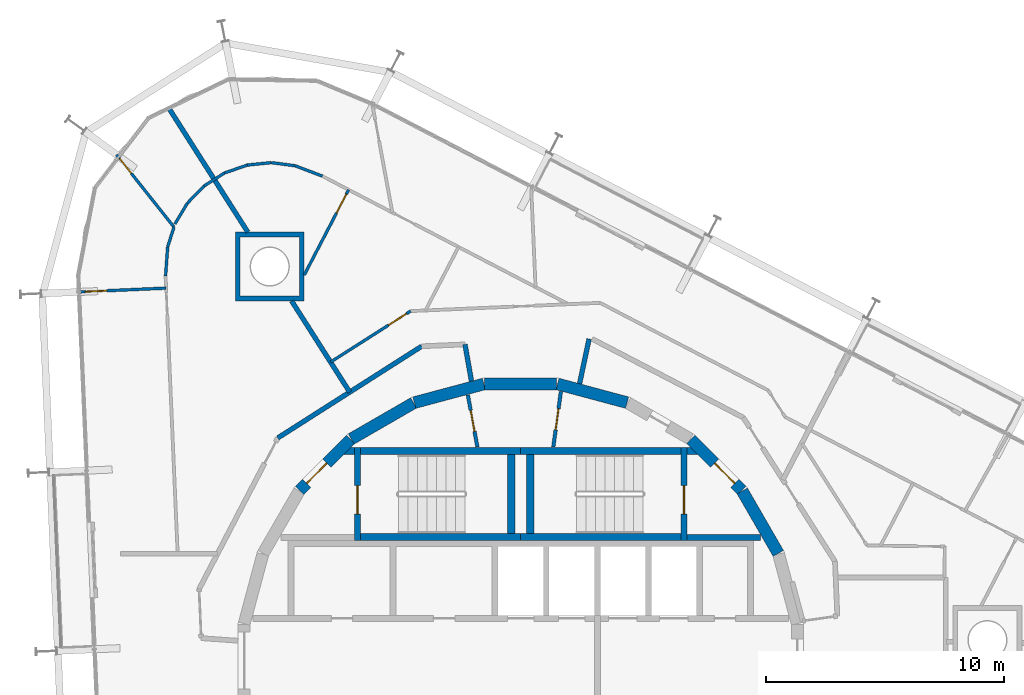
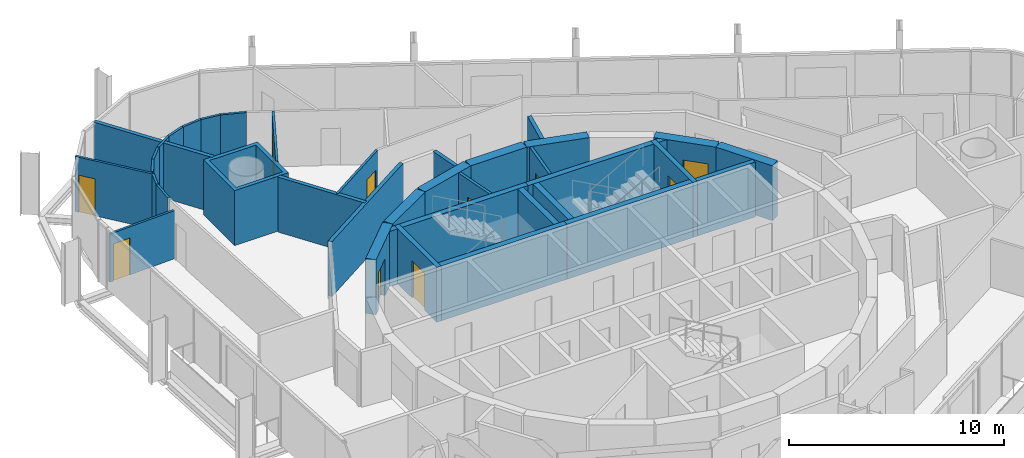
# One storey, part 15 of 17: 39 walls, 10 doors, 10 openings.
"""IFC4 building model written with IfcOpenShell, lengths in metres."""

from ifc_helpers import new_model, si_unit, direction, frame, frame_2d, origin, place, context, subcontext, project, spatial, polyline, rectangle, outline, extrude, material, layer, layer_set, type_object, element, fill, save


model = new_model("IFC4")

# Units and contexts
model_context = context("Model", 3, precision=1e-05, world=origin(), true_north=direction((0.0, 1.0)))
body_context = subcontext(model_context, "Body", "Model", "MODEL_VIEW")
ifc_project = project(units=[si_unit("LENGTHUNIT", "METRE"), si_unit("AREAUNIT", "SQUARE_METRE"), si_unit("VOLUMEUNIT", "CUBIC_METRE"), si_unit("PLANEANGLEUNIT", "RADIAN"), si_unit("MASSUNIT", "GRAM", prefix="KILO")], contexts=[model_context])

# Site, building, storey
site_placement = place(None, origin())
site = spatial("IfcSite", under=ifc_project, at=site_placement, CompositionType="ELEMENT")
building_placement = place(site_placement, origin())
building = spatial("IfcBuilding", under=site, at=building_placement, Name="Spindle Arch Residences", CompositionType="ELEMENT")
storey_placement = place(building_placement, frame((0.0, 0.0, 244.199951171875)))
storey = spatial("IfcBuildingStorey", under=building, at=storey_placement, Name="L62", CompositionType="ELEMENT", Elevation=244.199951171875)

# Wall
ifc_material_1 = material(Name="Concrete C50/60", Category="concrete")
ifc_layer_1 = layer(ifc_material_1, 0.5)
ifc_layer_set_1 = layer_set([ifc_layer_1], Name="Core outline wall 500")
wall_type_1 = type_object("IfcWallType", Name="Core outline wall 500", PredefinedType="SHEAR", material=ifc_layer_set_1)
wall_1_placement = place(storey_placement, frame((10.84521484375, 4.510498046875, 0.0), z_axis=(0.0, 0.0, 1.0), x_axis=(-0.500087131594, 0.865975092491, 0.0)))
element("IfcWall", 1, at=wall_1_placement, inside=storey, type_object=wall_type_1, Name="Core outline wall 8", PredefinedType="SHEAR", context=body_context, shape_type="SweptSolid", body=[
    extrude(rectangle(XDim=3.03271484375, YDim=0.5, at=frame_2d((1.516357421875, 0.0))), origin(), (0.0, 0.0, 1.0), 3.1201171875),
])

# Wall, opening, door
wall_2_placement = place(storey_placement, frame((9.30810546875, 7.163818359375, 0.0), z_axis=(0.0, 0.0, 1.0), x_axis=(-0.707106781187, 0.707106781187, 0.0)))
wall_2 = element("IfcWall", 2, at=wall_2_placement, inside=storey, type_object=wall_type_1, Name="Core outline wall 9", PredefinedType="SHEAR", context=body_context, shape_type="SweptSolid", body=[
    extrude(rectangle(XDim=3.032470703125, YDim=0.5, at=frame_2d((1.51611328125, 0.0))), origin(), (0.0, 0.0, 1.0), 3.1201171875),
])
opening_1_placement = place(wall_2_placement, frame((0.416259765625, 0.0, 0.0)))
opening_1 = element("IfcOpeningElement", 3, at=opening_1_placement, cuts=wall_2, Name="Opening R6B1-AD01", PredefinedType="OPENING", context=body_context, shape_type="SweptSolid", body=[
    extrude(rectangle(XDim=1.199951171875, YDim=2.10009765625, at=frame_2d((0.60009765625, 1.050048828125))), frame((0.0, 0.260009765625, 0.0), z_axis=(0.0, -1.0, 0.0), x_axis=(1.0, 0.0, 0.0)), (0.0, 0.0, 1.0), 0.52001953125),
])
ifc_material_2 = material(Name="Steel, fire-resisting door", Category="steel")
door_type_1 = type_object("IfcDoorType", Name="Stair airlock door 1200x2100", OperationType="SINGLE_SWING_LEFT", PredefinedType="DOOR", material=ifc_material_2)
door_1_placement = place(opening_1_placement, origin())
door_1 = element("IfcDoor", 4, at=door_1_placement, inside=storey, type_object=door_type_1, Name="Stair airlock door R6B1-AD01", OperationType="SINGLE_SWING_RIGHT", OverallHeight=2.10009765625, OverallWidth=1.199951171875, PredefinedType="DOOR", context=body_context, shape_type="SweptSolid", body=[
    extrude(rectangle(XDim=1.199951171875, YDim=2.10009765625, at=frame_2d((0.60009765625, 1.050048828125))), frame((0.0, 0.02490234375, 0.0), z_axis=(0.0, -1.0, 0.0), x_axis=(1.0, 0.0, 0.0)), (0.0, 0.0, 1.0), 0.050048828125),
])
fill(opening_1, door_1)

# Walls
for number, where, z_axis, x_axis, name in (
    (5, (4.479248046875, 10.858154296875, 0.0), (0.0, 0.0, 1.0), (-0.965948410781, 0.258734743916, 0.0), "Core outline wall 11"),
    (6, (1.516357421875, 11.647216796875, 0.0), (0.0, 0.0, 1.0), (-1.0, 0.0, 0.0), "Core outline wall 12"),
    (7, (-1.5498046875, 11.642822265625, 0.0), (0.0, 0.0, 1.0), (-0.965948410781, -0.258734743916, 0.0), "Core outline wall 13"),
    (8, (-4.510498046875, 10.84521484375, 0.0), (0.0, 0.0, 1.0), (-0.865975092491, -0.500087131594, 0.0), "Core outline wall 14"),
):
    element("IfcWall", number, at=place(storey_placement, frame(where, z_axis=z_axis, x_axis=x_axis)), inside=storey, type_object=wall_type_1, Name=name, PredefinedType="SHEAR", context=body_context, shape_type="SweptSolid", body=[
        extrude(rectangle(XDim=3.03271484375, YDim=0.5, at=frame_2d((1.516357421875, 0.0))), origin(), (0.0, 0.0, 1.0), 3.1201171875),
    ])

# Wall, opening, door
wall_3_placement = place(storey_placement, frame((-7.163818359375, 9.30810546875, 0.0), z_axis=(0.0, 0.0, 1.0), x_axis=(-0.707106781187, -0.707106781187, 0.0)))
wall_3 = element("IfcWall", 9, at=wall_3_placement, inside=storey, type_object=wall_type_1, Name="Core outline wall 15", PredefinedType="SHEAR", context=body_context, shape_type="SweptSolid", body=[
    extrude(rectangle(XDim=3.032470703125, YDim=0.5, at=frame_2d((1.51611328125, 0.0))), origin(), (0.0, 0.0, 1.0), 3.1201171875),
])
opening_2_placement = place(wall_3_placement, frame((1.416259765625, 0.0, 0.0)))
opening_2 = element("IfcOpeningElement", 10, at=opening_2_placement, cuts=wall_3, Name="Opening R6B1-AD02", PredefinedType="OPENING", context=body_context, shape_type="SweptSolid", body=[
    extrude(rectangle(XDim=1.199951171875, YDim=2.10009765625, at=frame_2d((0.60009765625, 1.050048828125))), frame((0.0, 0.260009765625, 0.0), z_axis=(0.0, -1.0, 0.0), x_axis=(1.0, 0.0, 0.0)), (0.0, 0.0, 1.0), 0.52001953125),
])
door_2_placement = place(opening_2_placement, origin())
door_2 = element("IfcDoor", 11, at=door_2_placement, inside=storey, type_object=door_type_1, Name="Stair airlock door R6B1-AD02", OperationType="SINGLE_SWING_RIGHT", OverallHeight=2.10009765625, OverallWidth=1.199951171875, PredefinedType="DOOR", context=body_context, shape_type="SweptSolid", body=[
    extrude(rectangle(XDim=1.199951171875, YDim=2.10009765625, at=frame_2d((0.60009765625, 1.050048828125))), frame((0.0, 0.02490234375, 0.0), z_axis=(0.0, -1.0, 0.0), x_axis=(1.0, 0.0, 0.0)), (0.0, 0.0, 1.0), 0.050048828125),
])
fill(opening_2, door_2)

# Walls
ifc_material_3 = material(Name="Calcium silicate block, plastered")
ifc_layer_2 = layer(ifc_material_3, 0.199951171875)
ifc_layer_set_2 = layer_set([ifc_layer_2], Name="Corridor wall 200")
wall_type_2 = type_object("IfcWallType", Name="Corridor wall 200", PredefinedType="STANDARD", material=ifc_layer_set_2)
wall_4_placement = place(storey_placement, frame((2.877685546875, 13.538330078125, 0.0), z_axis=(0.0, 0.0, 1.0), x_axis=(-0.207893604596, -0.978151444904, 0.0)))
element("IfcWall", 12, at=wall_4_placement, inside=storey, type_object=wall_type_2, Name="Corridor wall R6B1-W006", PredefinedType="STANDARD", context=body_context, shape_type="SweptSolid", body=[
    extrude(rectangle(XDim=1.927001953125, YDim=0.199951171875, at=frame_2d((0.96337890625, 0.0))), origin(), (0.0, 0.0, 1.0), 3.1201171875),
])
wall_5_placement = place(storey_placement, frame((-2.07373046875, 11.76123046875, 0.0), z_axis=(0.0, 0.0, 1.0), x_axis=(-0.173679082312, 0.984802303189, 0.0)))
element("IfcWall", 13, at=wall_5_placement, inside=storey, type_object=wall_type_2, Name="Corridor wall R6B1-W010", PredefinedType="STANDARD", context=body_context, shape_type="SweptSolid", body=[
    extrude(rectangle(XDim=1.572998046875, YDim=0.199951171875, at=frame_2d((0.78662109375, 0.0))), origin(), (0.0, 0.0, 1.0), 3.1201171875),
])
wall_6_placement = place(storey_placement, frame((-4.171630859375, 13.230712890625, 0.0), z_axis=(0.0, 0.0, 1.0), x_axis=(-0.843388394728, -0.537304397561, 0.0)))
element("IfcWall", 14, at=wall_6_placement, inside=storey, type_object=wall_type_2, Name="Corridor wall R6B1-W012", PredefinedType="STANDARD", context=body_context, shape_type="SweptSolid", body=[
    extrude(rectangle(XDim=7.180908203125, YDim=0.199951171875, at=frame_2d((3.59033203125, 0.0))), origin(), (0.0, 0.0, 1.0), 3.1201171875),
])

# Wall, opening, door
ifc_material_4 = material(Name="Plasterboard on steel studs", Category="steel")
ifc_layer_3 = layer(ifc_material_4, 0.1201171875)
ifc_layer_set_3 = layer_set([ifc_layer_3], Name="Flat partition 120")
wall_type_3 = type_object("IfcWallType", Name="Flat partition 120", PredefinedType="PARTITIONING", material=ifc_layer_set_3)
wall_7_placement = place(storey_placement, frame((-4.638671875, 14.711669921875, 0.0), z_axis=(0.0, 0.0, 1.0), x_axis=(-0.843376843237, -0.537322529113, 0.0)))
wall_7 = element("IfcWall", 15, at=wall_7_placement, inside=storey, type_object=wall_type_3, Name="Flat partition R6B1-W053", PredefinedType="PARTITIONING", context=body_context, shape_type="SweptSolid", body=[
    extrude(rectangle(XDim=3.992431640625, YDim=0.1201171875, at=frame_2d((1.99609375, 0.0))), origin(), (0.0, 0.0, 1.0), 3.1201171875),
])
opening_3_placement = place(wall_7_placement, frame((0.199951171875, 0.0, 0.0)))
opening_3 = element("IfcOpeningElement", 16, at=opening_3_placement, cuts=wall_7, Name="Opening R6B1-ID07", PredefinedType="OPENING", context=body_context, shape_type="SweptSolid", body=[
    extrude(rectangle(XDim=0.89990234375, YDim=2.10009765625, at=frame_2d((0.449951171875, 1.050048828125))), frame((0.0, 0.070068359375, 0.0), z_axis=(0.0, -1.0, 0.0), x_axis=(1.0, 0.0, 0.0)), (0.0, 0.0, 1.0), 0.14013671875),
])
ifc_material_5 = material(Name="Timber door set", Category="wood")
door_type_2 = type_object("IfcDoorType", Name="Room door 900x2100", OperationType="NOTDEFINED", PredefinedType="DOOR", material=ifc_material_5)
door_3_placement = place(opening_3_placement, origin())
door_3 = element("IfcDoor", 17, at=door_3_placement, inside=storey, type_object=door_type_2, Name="Room door R6B1-ID07", OperationType="SINGLE_SWING_RIGHT", OverallHeight=2.10009765625, OverallWidth=0.89990234375, PredefinedType="DOOR", context=body_context, shape_type="SweptSolid", body=[
    extrude(rectangle(XDim=0.89990234375, YDim=2.10009765625, at=frame_2d((0.449951171875, 1.050048828125))), frame((0.0, 0.02490234375, 0.0), z_axis=(0.0, -1.0, 0.0), x_axis=(1.0, 0.0, 0.0)), (0.0, 0.0, 1.0), 0.050048828125),
])
fill(opening_3, door_3)

wall_8_placement = place(storey_placement, frame((-7.246826171875, 19.820068359375, 0.0), z_axis=(0.0, 0.0, 1.0), x_axis=(-0.461733980956, -0.887018450107, 0.0)))
wall_8 = element("IfcWall", 18, at=wall_8_placement, inside=storey, type_object=wall_type_3, Name="Flat partition R6B1-W058", PredefinedType="PARTITIONING", context=body_context, shape_type="SweptSolid", body=[
    extrude(rectangle(XDim=4.05224609375, YDim=0.1201171875, at=frame_2d((2.026123046875, 0.0))), origin(), (0.0, 0.0, 1.0), 3.1201171875),
])
opening_4_placement = place(wall_8_placement, frame((0.199951171875, 0.0, 0.0)))
opening_4 = element("IfcOpeningElement", 19, at=opening_4_placement, cuts=wall_8, Name="Opening R6B1-ID09", PredefinedType="OPENING", context=body_context, shape_type="SweptSolid", body=[
    extrude(rectangle(XDim=0.89990234375, YDim=2.10009765625, at=frame_2d((0.449951171875, 1.050048828125))), frame((0.0, 0.070068359375, 0.0), z_axis=(0.0, -1.0, 0.0), x_axis=(1.0, 0.0, 0.0)), (0.0, 0.0, 1.0), 0.14013671875),
])
door_4_placement = place(opening_4_placement, origin())
door_4 = element("IfcDoor", 20, at=door_4_placement, inside=storey, type_object=door_type_2, Name="Room door R6B1-ID09", OperationType="SINGLE_SWING_RIGHT", OverallHeight=2.10009765625, OverallWidth=0.89990234375, PredefinedType="DOOR", context=body_context, shape_type="SweptSolid", body=[
    extrude(rectangle(XDim=0.89990234375, YDim=2.10009765625, at=frame_2d((0.449951171875, 1.050048828125))), frame((0.0, 0.02490234375, 0.0), z_axis=(0.0, -1.0, 0.0), x_axis=(1.0, 0.0, 0.0)), (0.0, 0.0, 1.0), 0.050048828125),
])
fill(opening_4, door_4)

# Walls
for number, where, z_axis, x_axis, name in (
    (21, (-13.33154296875, 19.980712890625, 0.0), (0.0, 0.0, 1.0), (0.843404143432, 0.537279676557, 0.0), "Flat partition R6B1-W059"),
    (22, (-12.474609375, 20.526611328125, 0.0), (0.0, 0.0, 1.0), (0.944594007355, 0.32824101095, 0.0), "Flat partition R6B1-W060"),
):
    element("IfcWall", number, at=place(storey_placement, frame(where, z_axis=z_axis, x_axis=x_axis)), inside=storey, type_object=wall_type_3, Name=name, PredefinedType="PARTITIONING", context=body_context, shape_type="SweptSolid", body=[
        extrude(rectangle(XDim=1.01611328125, YDim=0.1201171875, at=frame_2d((0.508056640625, 0.0))), origin(), (0.0, 0.0, 1.0), 3.1201171875),
    ])
wall_9_placement = place(storey_placement, frame((-11.514892578125, 20.860107421875, 0.0), z_axis=(0.0, 0.0, 1.0), x_axis=(0.994818278641, 0.101669034034, 0.0)))
element("IfcWall", 23, at=wall_9_placement, inside=storey, type_object=wall_type_3, Name="Flat partition R6B1-W061", PredefinedType="PARTITIONING", context=body_context, shape_type="SweptSolid", body=[
    extrude(rectangle(XDim=1.015869140625, YDim=0.1201171875, at=frame_2d((0.5078125, 0.0))), origin(), (0.0, 0.0, 1.0), 3.1201171875),
])
wall_10_placement = place(storey_placement, frame((-10.50439453125, 20.96337890625, 0.0), z_axis=(0.0, 0.0, 1.0), x_axis=(0.991451023706, -0.13047937612, 0.0)))
element("IfcWall", 24, at=wall_10_placement, inside=storey, type_object=wall_type_3, Name="Flat partition R6B1-W062", PredefinedType="PARTITIONING", context=body_context, shape_type="SweptSolid", body=[
    extrude(rectangle(XDim=1.01611328125, YDim=0.1201171875, at=frame_2d((0.508056640625, 0.0))), origin(), (0.0, 0.0, 1.0), 3.1201171875),
])
wall_11_placement = place(storey_placement, frame((-9.4970703125, 20.830810546875, 0.0), z_axis=(0.0, 0.0, 1.0), x_axis=(0.934575963521, -0.355763641213, 0.0)))
element("IfcWall", 25, at=wall_11_placement, inside=storey, type_object=wall_type_3, Name="Flat partition R6B1-W063", PredefinedType="PARTITIONING", context=body_context, shape_type="SweptSolid", body=[
    extrude(rectangle(XDim=1.22705078125, YDim=0.1201171875, at=frame_2d((0.613525390625, 0.0))), origin(), (0.0, 0.0, 1.0), 3.1201171875),
])
for number, where, z_axis, x_axis, name in (
    (26, (-13.33154296875, 19.980712890625, 0.0), (0.0, 0.0, 1.0), (-0.69669736192, -0.717365169138, 0.0), "Flat partition R6B1-W064"),
    (27, (-14.039306640625, 19.251953125, 0.0), (0.0, 0.0, 1.0), (-0.512586118981, -0.858635819558, 0.0), "Flat partition R6B1-W065"),
):
    element("IfcWall", number, at=place(storey_placement, frame(where, z_axis=z_axis, x_axis=x_axis)), inside=storey, type_object=wall_type_3, Name=name, PredefinedType="PARTITIONING", context=body_context, shape_type="SweptSolid", body=[
        extrude(rectangle(XDim=1.015869140625, YDim=0.1201171875, at=frame_2d((0.5078125, 0.0))), origin(), (0.0, 0.0, 1.0), 3.1201171875),
    ])
wall_12_placement = place(storey_placement, frame((-14.600830078125, 18.250244140625, 0.0), z_axis=(0.0, 0.0, 1.0), x_axis=(-0.300706496876, -0.953716730867, 0.0)))
element("IfcWall", 28, at=wall_12_placement, inside=storey, type_object=wall_type_3, Name="Flat partition R6B1-W066", PredefinedType="PARTITIONING", context=body_context, shape_type="SweptSolid", body=[
    extrude(rectangle(XDim=0.880126953125, YDim=0.1201171875, at=frame_2d((0.43994140625, 0.0))), origin(), (0.0, 0.0, 1.0), 3.1201171875),
])
wall_13_placement = place(storey_placement, frame((-14.865478515625, 17.410888671875, 0.0), z_axis=(0.0, 0.0, 1.0), x_axis=(-0.072618457011, -0.997359794508, 0.0)))
element("IfcWall", 29, at=wall_13_placement, inside=storey, type_object=wall_type_3, Name="Flat partition R6B1-W067", PredefinedType="PARTITIONING", context=body_context, shape_type="SweptSolid", body=[
    extrude(rectangle(XDim=1.22705078125, YDim=0.1201171875, at=frame_2d((0.613525390625, 0.0))), origin(), (0.0, 0.0, 1.0), 3.1201171875),
])

# Wall, opening, door
wall_14_placement = place(storey_placement, frame((-17.015380859375, 21.2900390625, 0.0), z_axis=(0.0, 0.0, 1.0), x_axis=(0.621976289729, -0.783036075168, 0.0)))
wall_14 = element("IfcWall", 30, at=wall_14_placement, inside=storey, type_object=wall_type_3, Name="Flat partition R6B1-W069", PredefinedType="PARTITIONING", context=body_context, shape_type="SweptSolid", body=[
    extrude(rectangle(XDim=3.882080078125, YDim=0.1201171875, at=frame_2d((1.94091796875, 0.0))), origin(), (0.0, 0.0, 1.0), 3.1201171875),
])
opening_5_placement = place(wall_14_placement, frame((0.199951171875, 0.0, 0.0)))
opening_5 = element("IfcOpeningElement", 31, at=opening_5_placement, cuts=wall_14, Name="Opening R6B1-BD03", PredefinedType="OPENING", context=body_context, shape_type="SweptSolid", body=[
    extrude(rectangle(XDim=0.800048828125, YDim=2.10009765625, at=frame_2d((0.39990234375, 1.050048828125))), frame((0.0, 0.070068359375, 0.0), z_axis=(0.0, -1.0, 0.0), x_axis=(1.0, 0.0, 0.0)), (0.0, 0.0, 1.0), 0.14013671875),
])
ifc_material_6 = material(Name="Timber door set", Category="wood")
door_type_3 = type_object("IfcDoorType", Name="Bathroom door 800x2100", OperationType="NOTDEFINED", PredefinedType="DOOR", material=ifc_material_6)
door_5_placement = place(opening_5_placement, origin())
door_5 = element("IfcDoor", 32, at=door_5_placement, inside=storey, type_object=door_type_3, Name="Bathroom door R6B1-BD03", OperationType="SINGLE_SWING_LEFT", OverallHeight=2.10009765625, OverallWidth=0.800048828125, PredefinedType="DOOR", context=body_context, shape_type="SweptSolid", body=[
    extrude(rectangle(XDim=0.800048828125, YDim=2.10009765625, at=frame_2d((0.39990234375, 1.050048828125))), frame((0.0, 0.02490234375, 0.0), z_axis=(0.0, -1.0, 0.0), x_axis=(1.0, 0.0, 0.0)), (0.0, 0.0, 1.0), 0.050048828125),
])
fill(opening_5, door_5)

ifc_material_7 = material(Name="Plasterboard on steel studs", Category="steel")
ifc_layer_4 = layer(ifc_material_7, 0.1201171875)
ifc_layer_set_4 = layer_set([ifc_layer_4], Name="Flat partition 120 under beam 2730")
wall_type_4 = type_object("IfcWallType", Name="Flat partition 120 under beam 2730", PredefinedType="PARTITIONING", material=ifc_layer_set_4)
wall_15_placement = place(storey_placement, frame((-18.529052734375, 15.521728515625, 0.0), z_axis=(0.0, 0.0, 1.0), x_axis=(0.999048722018, 0.043607923987, 0.0)))
wall_15 = element("IfcWall", 33, at=wall_15_placement, inside=storey, type_object=wall_type_4, Name="Flat partition R6B1-W070", PredefinedType="PARTITIONING", context=body_context, shape_type="SweptSolid", body=[
    extrude(rectangle(XDim=3.599853515625, YDim=0.1201171875, at=frame_2d((1.7998046875, 0.0))), origin(), (0.0, 0.0, 1.0), 2.72998046875),
])
opening_6_placement = place(wall_15_placement, frame((0.199951171875, 0.0, 0.0)))
opening_6 = element("IfcOpeningElement", 34, at=opening_6_placement, cuts=wall_15, Name="Opening R6B1-ID12", PredefinedType="OPENING", context=body_context, shape_type="SweptSolid", body=[
    extrude(rectangle(XDim=0.89990234375, YDim=2.10009765625, at=frame_2d((0.449951171875, 1.050048828125))), frame((0.0, 0.070068359375, 0.0), z_axis=(0.0, -1.0, 0.0), x_axis=(1.0, 0.0, 0.0)), (0.0, 0.0, 1.0), 0.14013671875),
])
door_6_placement = place(opening_6_placement, origin())
door_6 = element("IfcDoor", 35, at=door_6_placement, inside=storey, type_object=door_type_2, Name="Room door R6B1-ID12", OperationType="SINGLE_SWING_LEFT", OverallHeight=2.10009765625, OverallWidth=0.89990234375, PredefinedType="DOOR", context=body_context, shape_type="SweptSolid", body=[
    extrude(rectangle(XDim=0.89990234375, YDim=2.10009765625, at=frame_2d((0.449951171875, 1.050048828125))), frame((0.0, 0.02490234375, 0.0), z_axis=(0.0, -1.0, 0.0), x_axis=(1.0, 0.0, 0.0)), (0.0, 0.0, 1.0), 0.050048828125),
])
fill(opening_6, door_6)

# Walls
ifc_material_8 = material(Name="Calcium silicate block, plastered")
ifc_layer_5 = layer(ifc_material_8, 0.199951171875)
ifc_layer_set_5 = layer_set([ifc_layer_5], Name="Flat party wall 200")
wall_type_5 = type_object("IfcWallType", Name="Flat party wall 200", PredefinedType="STANDARD", material=ifc_layer_set_5)
wall_16_placement = place(storey_placement, frame((-9.64501953125, 15.137939453125, 0.0), z_axis=(0.0, 0.0, 1.0), x_axis=(0.537267800866, -0.84341170857, 0.0)))
element("IfcWall", 36, at=wall_16_placement, inside=storey, type_object=wall_type_5, Name="Flat party wall R6B1-W031", PredefinedType="STANDARD", context=body_context, shape_type="SweptSolid", body=[
    extrude(rectangle(XDim=4.549560546875, YDim=0.199951171875, at=frame_2d((2.27490234375, 0.0))), origin(), (0.0, 0.0, 1.0), 3.1201171875),
])
wall_17_placement = place(storey_placement, frame((-14.83740234375, 23.289794921875, 0.0), z_axis=(0.0, 0.0, 1.0), x_axis=(0.537316863221, -0.843380452998, 0.0)))
element("IfcWall", 37, at=wall_17_placement, inside=storey, type_object=wall_type_5, Name="Flat party wall R6B1-W032", PredefinedType="STANDARD", context=body_context, shape_type="SweptSolid", body=[
    extrude(rectangle(XDim=6.226806640625, YDim=0.199951171875, at=frame_2d((3.11328125, 0.0))), origin(), (0.0, 0.0, 1.0), 3.1201171875),
])
ifc_material_9 = material(Name="Calcium silicate block, plastered")
ifc_layer_6 = layer(ifc_material_9, 0.199951171875)
ifc_layer_set_6 = layer_set([ifc_layer_6], Name="Mega-column casing wall 200")
wall_type_6 = type_object("IfcWallType", Name="Mega-column casing wall 200", PredefinedType="STANDARD", material=ifc_layer_set_6)
wall_18_placement = place(storey_placement, origin())
element("IfcWall", 38, at=wall_18_placement, inside=storey, type_object=wall_type_6, Name="Mega-column casing wall R6B1-WC02", PredefinedType="STANDARD", context=body_context, shape_type="SweptSolid", body=[
    extrude(outline(polyline([(-9.117919921875, 18.038330078125), (-9.117919921875, 15.138427734375), (-12.01806640625, 15.138427734375), (-12.01806640625, 18.038330078125), (-9.117919921875, 18.038330078125)]), holes=[polyline([(-11.818115234375, 15.33837890625), (-9.318115234375, 15.33837890625), (-9.318115234375, 17.83837890625), (-11.818115234375, 17.83837890625), (-11.818115234375, 15.33837890625)])]), origin(), (0.0, 0.0, 1.0), 3.1201171875),
])

# Wall, opening, door
ifc_material_10 = material(Name="Concrete C25/30", Category="concrete")
ifc_layer_7 = layer(ifc_material_10, 0.14990234375)
ifc_layer_set_7 = layer_set([ifc_layer_7], Name="Service room partition 150")
wall_type_7 = type_object("IfcWallType", Name="Service room partition 150", PredefinedType="PARTITIONING", material=ifc_layer_set_7)
wall_19_placement = place(storey_placement, frame((1.69091796875, 11.32568359375, 0.0), z_axis=(0.0, 0.0, 1.0), x_axis=(-0.135344253201, -0.990798633994, 0.0)))
wall_19 = element("IfcWall", 39, at=wall_19_placement, inside=storey, type_object=wall_type_7, Name="Core service room partition", PredefinedType="PARTITIONING", context=body_context, shape_type="SweptSolid", body=[
    extrude(rectangle(XDim=2.357666015625, YDim=0.14990234375, at=frame_2d((1.1787109375, 0.0))), origin(), (0.0, 0.0, 1.0), 3.1201171875),
])
opening_7_placement = place(wall_19_placement, frame((0.728759765625, 0.0, 0.0)))
opening_7 = element("IfcOpeningElement", 40, at=opening_7_placement, cuts=wall_19, Name="Opening R6B1-WD08", PredefinedType="OPENING", context=body_context, shape_type="SweptSolid", body=[
    extrude(rectangle(XDim=0.89990234375, YDim=2.10009765625, at=frame_2d((0.449951171875, 1.050048828125))), frame((0.0, 0.0849609375, 0.0), z_axis=(0.0, -1.0, 0.0), x_axis=(1.0, 0.0, 0.0)), (0.0, 0.0, 1.0), 0.169921875),
])
ifc_material_11 = material(Name="Steel, fire-resisting door", Category="steel")
door_type_4 = type_object("IfcDoorType", Name="Service room door 900x2100", OperationType="SINGLE_SWING_LEFT", PredefinedType="DOOR", material=ifc_material_11)
door_7_placement = place(opening_7_placement, origin())
door_7 = element("IfcDoor", 41, at=door_7_placement, inside=storey, type_object=door_type_4, Name="Service room door R6B1-WD08", OperationType="SINGLE_SWING_RIGHT", OverallHeight=2.10009765625, OverallWidth=0.89990234375, PredefinedType="DOOR", context=body_context, shape_type="SweptSolid", body=[
    extrude(rectangle(XDim=0.89990234375, YDim=2.10009765625, at=frame_2d((0.449951171875, 1.050048828125))), frame((0.0, 0.02490234375, 0.0), z_axis=(0.0, -1.0, 0.0), x_axis=(1.0, 0.0, 0.0)), (0.0, 0.0, 1.0), 0.050048828125),
])
fill(opening_7, door_7)

wall_20_placement = place(storey_placement, frame((-1.824951171875, 8.98974609375, 0.0), z_axis=(0.0, 0.0, 1.0), x_axis=(-0.179955206115, 0.983674805915, 0.0)))
wall_20 = element("IfcWall", 42, at=wall_20_placement, inside=storey, type_object=wall_type_7, Name="Core service room partition", PredefinedType="PARTITIONING", context=body_context, shape_type="SweptSolid", body=[
    extrude(rectangle(XDim=2.22900390625, YDim=0.14990234375, at=frame_2d((1.114501953125, 0.0))), origin(), (0.0, 0.0, 1.0), 3.1201171875),
])
opening_8_placement = place(wall_20_placement, frame((0.66455078125, 0.0, 0.0)))
opening_8 = element("IfcOpeningElement", 43, at=opening_8_placement, cuts=wall_20, Name="Opening R6B1-WD09", PredefinedType="OPENING", context=body_context, shape_type="SweptSolid", body=[
    extrude(rectangle(XDim=0.89990234375, YDim=2.10009765625, at=frame_2d((0.449951171875, 1.050048828125))), frame((0.0, 0.0849609375, 0.0), z_axis=(0.0, -1.0, 0.0), x_axis=(1.0, 0.0, 0.0)), (0.0, 0.0, 1.0), 0.169921875),
])
door_8_placement = place(opening_8_placement, origin())
door_8 = element("IfcDoor", 44, at=door_8_placement, inside=storey, type_object=door_type_4, Name="Service room door R6B1-WD09", OperationType="SINGLE_SWING_LEFT", OverallHeight=2.10009765625, OverallWidth=0.89990234375, PredefinedType="DOOR", context=body_context, shape_type="SweptSolid", body=[
    extrude(rectangle(XDim=0.89990234375, YDim=2.10009765625, at=frame_2d((0.449951171875, 1.050048828125))), frame((0.0, 0.02490234375, 0.0), z_axis=(0.0, -1.0, 0.0), x_axis=(1.0, 0.0, 0.0)), (0.0, 0.0, 1.0), 0.050048828125),
])
fill(opening_8, door_8)

# Walls
ifc_material_12 = material(Name="Concrete C40/50", Category="concrete")
ifc_layer_8 = layer(ifc_material_12, 0.25)
ifc_layer_set_8 = layer_set([ifc_layer_8], Name="Stair airlock wall 250")
wall_type_8 = type_object("IfcWallType", Name="Stair airlock wall 250", PredefinedType="SHEAR", material=ifc_layer_set_8)
wall_21_placement = place(storey_placement, frame((7.0, 5.175048828125, 0.0), z_axis=(0.0, 0.0, 1.0), x_axis=(1.0, 0.0, 0.0)))
element("IfcWall", 45, at=wall_21_placement, inside=storey, type_object=wall_type_8, Name="Stair ST-1 airlock wall S", PredefinedType="SHEAR", context=body_context, shape_type="SweptSolid", body=[
    extrude(rectangle(XDim=3.10009765625, YDim=0.25, at=frame_2d((1.550048828125, 0.0))), origin(), (0.0, 0.0, 1.0), 3.1201171875),
])
ifc_material_13 = material(Name="Concrete C40/50", Category="concrete")
wall_type_9 = type_object("IfcWallType", Name="Stair airlock wall profile", PredefinedType="SHEAR", material=ifc_material_13)
wall_22_placement = place(storey_placement, origin())
element("IfcWall", 46, at=wall_22_placement, inside=storey, type_object=wall_type_9, Name="Stair ST-1 airlock wall N", PredefinedType="SHEAR", context=body_context, shape_type="SweptSolid", body=[
    extrude(outline(polyline([(7.4482421875, 8.669921875), (7.0, 8.669921875), (7.0, 8.969970703125), (7.148193359375, 8.969970703125), (7.4482421875, 8.669921875)])), origin(), (0.0, 0.0, 1.0), 3.1201171875),
])
wall_23_placement = place(storey_placement, origin())
element("IfcWall", 47, at=wall_23_placement, inside=storey, type_object=wall_type_9, Name="Stair ST-2 airlock wall N", PredefinedType="SHEAR", context=body_context, shape_type="SweptSolid", body=[
    extrude(outline(polyline([(-7.148193359375, 8.969970703125), (-7.0, 8.969970703125), (-7.0, 8.669921875), (-7.4482421875, 8.669921875), (-7.148193359375, 8.969970703125)])), origin(), (0.0, 0.0, 1.0), 3.1201171875),
])

# Wall, opening, door
ifc_material_14 = material(Name="Concrete C50/60", Category="concrete")
ifc_layer_9 = layer(ifc_material_14, 0.25)
ifc_layer_set_9 = layer_set([ifc_layer_9], Name="Stair enclosure wall 250")
wall_type_10 = type_object("IfcWallType", Name="Stair enclosure wall 250", PredefinedType="SHEAR", material=ifc_layer_set_9)
wall_24_placement = place(storey_placement, frame((6.875, 5.050048828125, 0.0), z_axis=(0.0, 0.0, 1.0), x_axis=(0.0, 1.0, 0.0)))
wall_24 = element("IfcWall", 48, at=wall_24_placement, inside=storey, type_object=wall_type_10, Name="Stair ST-1 door wall", PredefinedType="SHEAR", context=body_context, shape_type="SweptSolid", body=[
    extrude(rectangle(XDim=3.919921875, YDim=0.25, at=frame_2d((1.9599609375, 0.0))), origin(), (0.0, 0.0, 1.0), 3.1201171875),
])
opening_9_placement = place(wall_24_placement, frame((1.110107421875, 0.0, 0.0)))
opening_9 = element("IfcOpeningElement", 49, at=opening_9_placement, cuts=wall_24, Name="Opening R6B1-SD01", PredefinedType="OPENING", context=body_context, shape_type="SweptSolid", body=[
    extrude(rectangle(XDim=1.199951171875, YDim=2.10009765625, at=frame_2d((0.60009765625, 1.050048828125))), frame((0.0, 0.135009765625, 0.0), z_axis=(0.0, -1.0, 0.0), x_axis=(1.0, 0.0, 0.0)), (0.0, 0.0, 1.0), 0.27001953125),
])
ifc_material_15 = material(Name="Steel, fire-resisting door", Category="steel")
door_type_5 = type_object("IfcDoorType", Name="Stair door 1200x2100", OperationType="SINGLE_SWING_RIGHT", PredefinedType="DOOR", material=ifc_material_15)
door_9_placement = place(opening_9_placement, origin())
door_9 = element("IfcDoor", 50, at=door_9_placement, inside=storey, type_object=door_type_5, Name="Stair door R6B1-SD01", OperationType="SINGLE_SWING_LEFT", OverallHeight=2.10009765625, OverallWidth=1.199951171875, PredefinedType="DOOR", context=body_context, shape_type="SweptSolid", body=[
    extrude(rectangle(XDim=1.199951171875, YDim=2.10009765625, at=frame_2d((0.60009765625, 1.050048828125))), frame((0.0, 0.02490234375, 0.0), z_axis=(0.0, -1.0, 0.0), x_axis=(1.0, 0.0, 0.0)), (0.0, 0.0, 1.0), 0.050048828125),
])
fill(opening_9, door_9)

wall_25_placement = place(storey_placement, frame((-6.875, 8.969970703125, 0.0), z_axis=(0.0, 0.0, 1.0), x_axis=(0.0, -1.0, 0.0)))
wall_25 = element("IfcWall", 51, at=wall_25_placement, inside=storey, type_object=wall_type_10, Name="Stair ST-2 door wall", PredefinedType="SHEAR", context=body_context, shape_type="SweptSolid", body=[
    extrude(rectangle(XDim=3.919921875, YDim=0.25, at=frame_2d((1.9599609375, 0.0))), origin(), (0.0, 0.0, 1.0), 3.1201171875),
])
opening_10_placement = place(wall_25_placement, frame((1.610107421875, 0.0, 0.0)))
opening_10 = element("IfcOpeningElement", 52, at=opening_10_placement, cuts=wall_25, Name="Opening R6B1-SD02", PredefinedType="OPENING", context=body_context, shape_type="SweptSolid", body=[
    extrude(rectangle(XDim=1.199951171875, YDim=2.10009765625, at=frame_2d((0.60009765625, 1.050048828125))), frame((0.0, 0.135009765625, 0.0), z_axis=(0.0, -1.0, 0.0), x_axis=(1.0, 0.0, 0.0)), (0.0, 0.0, 1.0), 0.27001953125),
])
door_10_placement = place(opening_10_placement, origin())
door_10 = element("IfcDoor", 53, at=door_10_placement, inside=storey, type_object=door_type_5, Name="Stair door R6B1-SD02", OperationType="SINGLE_SWING_LEFT", OverallHeight=2.10009765625, OverallWidth=1.199951171875, PredefinedType="DOOR", context=body_context, shape_type="SweptSolid", body=[
    extrude(rectangle(XDim=1.199951171875, YDim=2.10009765625, at=frame_2d((0.60009765625, 1.050048828125))), frame((0.0, 0.02490234375, 0.0), z_axis=(0.0, -1.0, 0.0), x_axis=(1.0, 0.0, 0.0)), (0.0, 0.0, 1.0), 0.050048828125),
])
fill(opening_10, door_10)

# Walls
ifc_material_16 = material(Name="Concrete C50/60", Category="concrete")
ifc_layer_10 = layer(ifc_material_16, 0.300048828125)
ifc_layer_set_10 = layer_set([ifc_layer_10], Name="Stair enclosure wall 300")
wall_type_11 = type_object("IfcWallType", Name="Stair enclosure wall 300", PredefinedType="SHEAR", material=ifc_layer_set_10)
for number, where, z_axis, x_axis, name in (
    (54, (0.0, 5.199951171875, 0.0), (0.0, 0.0, 1.0), (1.0, 0.0, 0.0), "Stair ST-1 enclosure wall S"),
    (55, (0.0, 8.820068359375, 0.0), (0.0, 0.0, 1.0), (1.0, 0.0, 0.0), "Stair ST-1 enclosure wall N"),
):
    element("IfcWall", number, at=place(storey_placement, frame(where, z_axis=z_axis, x_axis=x_axis)), inside=storey, type_object=wall_type_11, Name=name, PredefinedType="SHEAR", context=body_context, shape_type="SweptSolid", body=[
        extrude(rectangle(XDim=6.75, YDim=0.300048828125, at=frame_2d((3.375, 0.0))), origin(), (0.0, 0.0, 1.0), 3.1201171875),
    ])
wall_26_placement = place(storey_placement, frame((0.39990234375, 5.35009765625, 0.0), z_axis=(0.0, 0.0, 1.0), x_axis=(0.0, 1.0, 0.0)))
element("IfcWall", 56, at=wall_26_placement, inside=storey, type_object=wall_type_11, Name="Stair ST-1 enclosure wall F", PredefinedType="SHEAR", context=body_context, shape_type="SweptSolid", body=[
    extrude(rectangle(XDim=3.31982421875, YDim=0.300048828125, at=frame_2d((1.659912109375, 0.0))), origin(), (0.0, 0.0, 1.0), 3.1201171875),
])
for number, where, z_axis, x_axis, name in (
    (57, (-6.75, 5.199951171875, 0.0), (0.0, 0.0, 1.0), (1.0, 0.0, 0.0), "Stair ST-2 enclosure wall S"),
    (58, (-6.75, 8.820068359375, 0.0), (0.0, 0.0, 1.0), (1.0, 0.0, 0.0), "Stair ST-2 enclosure wall N"),
):
    element("IfcWall", number, at=place(storey_placement, frame(where, z_axis=z_axis, x_axis=x_axis)), inside=storey, type_object=wall_type_11, Name=name, PredefinedType="SHEAR", context=body_context, shape_type="SweptSolid", body=[
        extrude(rectangle(XDim=6.75, YDim=0.300048828125, at=frame_2d((3.375, 0.0))), origin(), (0.0, 0.0, 1.0), 3.1201171875),
    ])
wall_27_placement = place(storey_placement, frame((-0.39990234375, 5.35009765625, 0.0), z_axis=(0.0, 0.0, 1.0), x_axis=(0.0, 1.0, 0.0)))
element("IfcWall", 59, at=wall_27_placement, inside=storey, type_object=wall_type_11, Name="Stair ST-2 enclosure wall F", PredefinedType="SHEAR", context=body_context, shape_type="SweptSolid", body=[
    extrude(rectangle(XDim=3.31982421875, YDim=0.300048828125, at=frame_2d((1.659912109375, 0.0))), origin(), (0.0, 0.0, 1.0), 3.1201171875),
])

save(model, "model.ifc")
